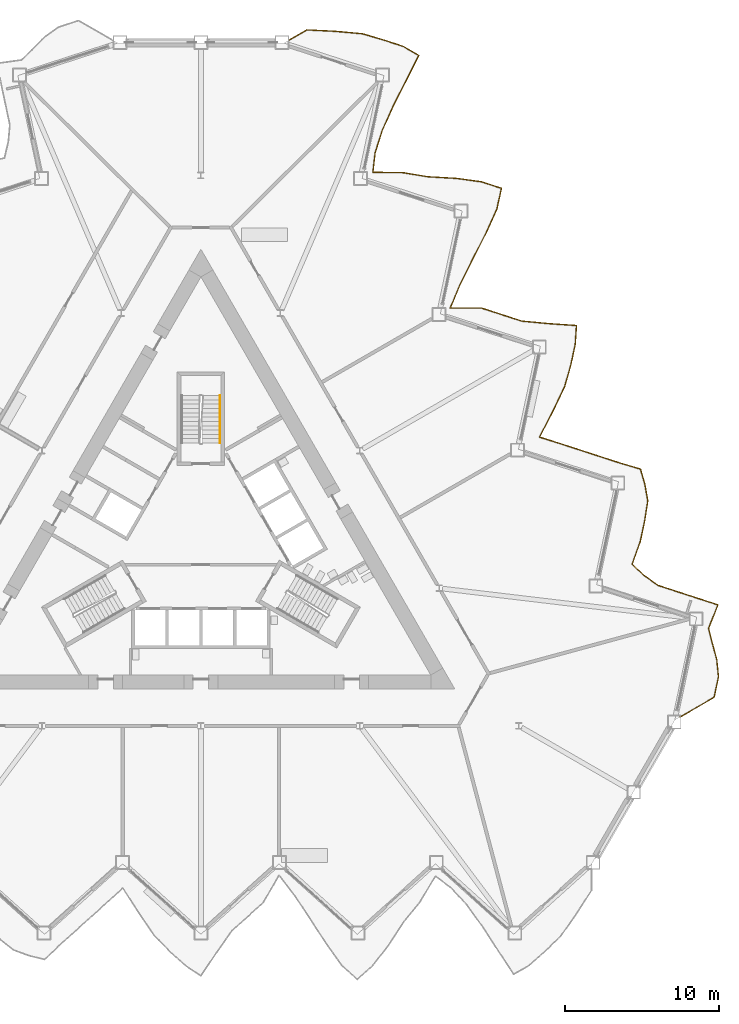
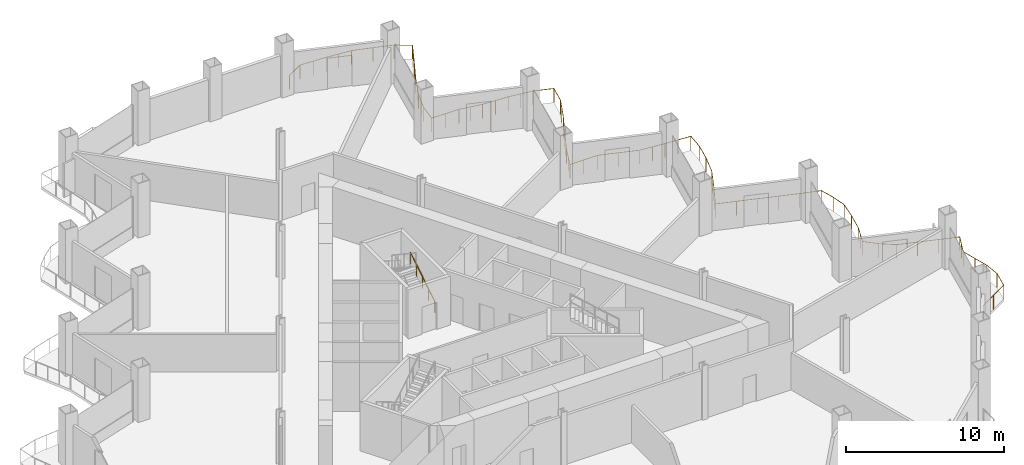
# One storey, part 19 of 21: 2 railings.
"""IFC4 building model written with IfcOpenShell, lengths in metres."""

import ifcopenshell
import ifcopenshell.guid

model = None  # the IFC model being written
_history = None  # IfcOwnerHistory: only IFC2X3 demands one
_inside = {}  # id of a spatial element -> (the spatial element, [elements in it])
_under = {}  # id of a project, library or spatial element -> (it, [spatial elements below it])
_declared = {}  # id of a project -> (the project, [libraries it declares])
_typed = {}  # id of a type object -> (the type object, [elements of that type])
_made_of = {}  # id of a material, layer set ... -> (it, [elements and type objects made of it])


def new_model(schema):
    """Start an empty IFC model of exactly this schema.

    Asked for "IFC4X3", IfcOpenShell would pick the latest addendum, in which some entities
    have other attributes; the version numbers below select the first issue.
    IFC2X3 requires an IfcOwnerHistory on every rooted entity: one is made here for all.
    """
    global model, _history
    if schema == "IFC4X3":
        model = ifcopenshell.file(schema_version=(4, 3, 0, 0))
    else:
        model = ifcopenshell.file(schema=schema)
    _inside.clear()
    _under.clear()
    _declared.clear()
    _typed.clear()
    _made_of.clear()
    _history = None
    if model.schema == "IFC2X3":
        org = make("IfcOrganization", Name="unknown")
        user = make(
            "IfcPersonAndOrganization",
            ThePerson=make("IfcPerson", FamilyName="unknown"),
            TheOrganization=org,
        )
        app = make(
            "IfcApplication",
            ApplicationDeveloper=org,
            Version="unknown",
            ApplicationFullName="unknown",
            ApplicationIdentifier="unknown",
        )
        _history = make(
            "IfcOwnerHistory",
            OwningUser=user,
            OwningApplication=app,
            ChangeAction="ADDED",
            CreationDate=0,
        )
    return model


def make(cls, **values):
    """One entity of the class cls with the attributes given. An attribute that is None is left unset."""
    return model.create_entity(
        cls, **{name: value for name, value in values.items() if value is not None}
    )


def rooted(cls, **values):
    """An entity with a GlobalId (a new one), such as an element, a storey or a relation."""
    return make(cls, GlobalId=ifcopenshell.guid.new(), OwnerHistory=_history, **values)


def si_unit(unit_type, name, prefix=None):
    """IfcSIUnit, for example si_unit("LENGTHUNIT", "METRE", prefix="MILLI")."""
    return make("IfcSIUnit", UnitType=unit_type, Prefix=prefix, Name=name)


def assignment(units):
    """IfcUnitAssignment: the units of a project."""
    return None if units is None else make("IfcUnitAssignment", Units=units)


def point(xyz):
    """IfcCartesianPoint."""
    return None if xyz is None else make("IfcCartesianPoint", Coordinates=xyz)


def direction(xyz):
    """IfcDirection."""
    return None if xyz is None else make("IfcDirection", DirectionRatios=xyz)


def frame(location, z_axis=None, x_axis=None):
    """IfcAxis2Placement3D, a coordinate frame: its origin and axes. An axis left out is left unset."""
    return make(
        "IfcAxis2Placement3D",
        Location=point(location),
        Axis=direction(z_axis),
        RefDirection=direction(x_axis),
    )


def frame_2d(location, x_axis=None):
    """IfcAxis2Placement2D, a coordinate frame in the plane: its origin and x axis."""
    return make(
        "IfcAxis2Placement2D", Location=point(location), RefDirection=direction(x_axis)
    )


def origin():
    """The frame at (0, 0, 0) with its axes left unset."""
    return frame((0.0, 0.0, 0.0))


def origin_2d():
    """The frame at (0, 0) in the plane with its x axis left unset."""
    return frame_2d((0.0, 0.0))


def place(relative_to, where):
    """IfcLocalPlacement: puts the frame where relative to a parent placement (None: the world)."""
    return make(
        "IfcLocalPlacement", PlacementRelTo=relative_to, RelativePlacement=where
    )


def context(
    kind, dimensions, precision=None, world=None, true_north=None, identifier=None
):
    """IfcGeometricRepresentationContext, for example the 3D "Model" context."""
    return make(
        "IfcGeometricRepresentationContext",
        ContextIdentifier=identifier,
        ContextType=kind,
        CoordinateSpaceDimension=dimensions,
        Precision=precision,
        WorldCoordinateSystem=world,
        TrueNorth=true_north,
    )


def subcontext(parent, identifier, kind, view, scale=None):
    """IfcGeometricRepresentationSubContext, for example "Body" below "Model"."""
    return make(
        "IfcGeometricRepresentationSubContext",
        ContextIdentifier=identifier,
        ContextType=kind,
        ParentContext=parent,
        TargetScale=scale,
        TargetView=view,
    )


def project(units=None, contexts=None):
    """IfcProject with its units and contexts."""
    return rooted(
        "IfcProject",
        Name="project",
        RepresentationContexts=contexts,
        UnitsInContext=assignment(units),
    )


def spatial(cls, under=None, at=None, **own):
    """A site, building, storey or space (cls), placed at a placement, below another one or the project."""
    s = rooted(cls, ObjectPlacement=at, **own)
    if under is not None:
        _under.setdefault(under.id(), (under, []))[1].append(s)
    return s


def profile(cls, at=None, kind="AREA", **sizes):
    """A parametric profile (cls). Its sizes go by their IFC names, for example OverallWidth=200.0."""
    return make(cls, ProfileType=kind, Position=at, **sizes)


def circle(**sizes):
    """IfcCircleProfileDef."""
    return profile("IfcCircleProfileDef", **sizes)


def extrude(swept, where, along, depth):
    """IfcExtrudedAreaSolid: the profile swept, set in the frame where, extruded along a direction by depth."""
    return make(
        "IfcExtrudedAreaSolid",
        SweptArea=swept,
        Position=where,
        ExtrudedDirection=direction(along),
        Depth=depth,
    )


def shape(context_of_items, identifier, shape_type, items):
    """IfcShapeRepresentation: the items that make up one representation, for example the "Body"."""
    return make(
        "IfcShapeRepresentation",
        ContextOfItems=context_of_items,
        RepresentationIdentifier=identifier,
        RepresentationType=shape_type,
        Items=items,
    )


def material(Name=None, Category=None):
    """IfcMaterial."""
    return make("IfcMaterial", Name=Name, Category=Category)


def made_of(thing, what):
    """Note that an element or type object is made of a material, layer set ...; save() writes the relation."""
    if what is not None:
        _made_of.setdefault(what.id(), (what, []))[1].append(thing)
    return thing


def type_object(cls, material=None, **own):
    """A type object (cls), such as IfcWallType, which elements share."""
    return made_of(rooted(cls, **own), material)


def element(
    cls,
    number,
    at=None,
    inside=None,
    cuts=None,
    type_object=None,
    material=None,
    context=None,
    identifier="Body",
    shape_type=None,
    held_by="IfcProductDefinitionShape",
    body=None,
    shapes=None,
    **own,
):
    """One element of the class cls, such as IfcWall. Its Tag is "e" and its number.

    at: its placement. inside: the storey or other place that contains it. cuts: it is an
    opening in that element (IfcRelVoidsElement). A single representation is given by context,
    identifier, shape_type and body (its items); several are given by shapes. held_by: the class
    of the entity that holds the representations. save() writes the other relations.
    """
    e = rooted(cls, Tag="e%d" % number, ObjectPlacement=at, **own)
    if body is not None:
        shapes = [shape(context, identifier, shape_type, body)]
    if shapes is not None:
        e.Representation = make(held_by, Representations=shapes)
    if inside is not None:
        _inside.setdefault(inside.id(), (inside, []))[1].append(e)
    if cuts is not None:
        rooted(
            "IfcRelVoidsElement", RelatingBuildingElement=cuts, RelatedOpeningElement=e
        )
    if type_object is not None:
        _typed.setdefault(type_object.id(), (type_object, []))[1].append(e)
    return made_of(e, material)


def aggregate(whole, parts):
    """IfcRelAggregates: a whole, such as a stair, and the parts it consists of."""
    return rooted("IfcRelAggregates", RelatingObject=whole, RelatedObjects=parts)


def save(model, path):
    """Write the relations noted so far, then the file.

    IfcRelAggregates (storeys below a building ...), IfcRelContainedInSpatialStructure (elements
    in a storey), IfcRelDefinesByType, IfcRelAssociatesMaterial and IfcRelDeclares: one each for
    every whole, place, type object, material and project.
    """
    for whole, parts in _under.values():
        aggregate(whole, parts)
    for where, things in _inside.values():
        rooted(
            "IfcRelContainedInSpatialStructure",
            RelatedElements=things,
            RelatingStructure=where,
        )
    for kind, things in _typed.values():
        rooted("IfcRelDefinesByType", RelatedObjects=things, RelatingType=kind)
    for what, things in _made_of.values():
        rooted("IfcRelAssociatesMaterial", RelatedObjects=things, RelatingMaterial=what)
    for by, libraries in _declared.values():
        rooted("IfcRelDeclares", RelatingContext=by, RelatedDefinitions=libraries)
    model.write(path)


model = new_model("IFC4")

# Units and contexts
model_context = context("Model", 3, precision=1e-05, world=origin(), true_north=direction((0.0, 1.0)))
body_context = subcontext(model_context, "Body", "Model", "MODEL_VIEW")
ifc_project = project(units=[si_unit("LENGTHUNIT", "METRE"), si_unit("AREAUNIT", "SQUARE_METRE"), si_unit("VOLUMEUNIT", "CUBIC_METRE"), si_unit("PLANEANGLEUNIT", "RADIAN"), si_unit("MASSUNIT", "GRAM", prefix="KILO")], contexts=[model_context])

# Site, building, storey
site_placement = place(None, origin())
site = spatial("IfcSite", under=ifc_project, at=site_placement, CompositionType="ELEMENT")
building_placement = place(site_placement, origin())
building = spatial("IfcBuilding", under=site, at=building_placement, Name="Cormorant Prow Tower", CompositionType="ELEMENT")
storey_placement = place(building_placement, frame((0.0, 0.0, 145.800048828125)))
storey = spatial("IfcBuildingStorey", under=building, at=storey_placement, Name="L31", CompositionType="ELEMENT", Elevation=145.800048828125)

# Railings
ifc_material_1 = material(Name="Aluminium 6063-T6", Category="aluminium")
railing_type_1 = type_object("IfcRailingType", Name="Balcony guard 1100", PredefinedType="GUARDRAIL", material=ifc_material_1)
railing_1_placement = place(storey_placement, frame((31.134033203125, -11.3623046875, 0.0)))
element("IfcRailing", 1, at=railing_1_placement, inside=storey, type_object=railing_type_1, Name="Balcony guard ENE", PredefinedType="GUARDRAIL", context=body_context, shape_type="SweptSolid", body=[
    extrude(circle(Radius=0.02392578125, at=origin_2d()), frame((0.0, 0.0, 1.076171875), z_axis=(0.866030548046, 0.499991089772, 0.0), x_axis=(-0.499991089772, 0.866030548046, 0.0)), (0.0, 0.0, 1.0), 2.56982421875),
    extrude(circle(Radius=0.02392578125, at=origin_2d()), frame((2.2255859375, 1.284912109375, 1.076171875), z_axis=(0.207980456921, 0.978132981521, 0.0), x_axis=(-0.978132981521, 0.207980456921, 0.0)), (0.0, 0.0, 1.0), 1.367431640625),
    extrude(circle(Radius=0.02392578125, at=origin_2d()), frame((2.510009765625, 2.62255859375, 1.076171875), z_axis=(-0.097792362575, 0.995206839718, 0.0), x_axis=(-0.995206839718, -0.097792362575, 0.0)), (0.0, 0.0, 1.0), 1.115966796875),
    extrude(circle(Radius=0.02392578125, at=origin_2d()), frame((2.40087890625, 3.733154296875, 1.076171875), z_axis=(-0.261721970891, 0.965143310578, 0.0), x_axis=(-0.965143310578, -0.261721970891, 0.0)), (0.0, 0.0, 1.0), 1.05126953125),
    extrude(circle(Radius=0.02392578125, at=origin_2d()), frame((2.125732421875, 4.747802734375, 1.076171875), z_axis=(-0.249227083493, 0.968445073741, 0.0), x_axis=(-0.968445073741, -0.249227083493, 0.0)), (0.0, 0.0, 1.0), 1.054931640625),
    extrude(circle(Radius=0.02392578125, at=origin_2d()), frame((1.86279296875, 5.76953125, 1.076171875), z_axis=(0.373509920554, 0.927626185081, 0.0), x_axis=(-0.927626185081, 0.373509920554, 0.0)), (0.0, 0.0, 1.0), 1.647705078125),
    extrude(circle(Radius=0.02392578125, at=origin_2d()), frame((2.478271484375, 7.298095703125, 1.076171875), z_axis=(-0.951065546572, 0.30898920066, 0.0), x_axis=(-0.30898920066, -0.951065546572, 0.0)), (0.0, 0.0, 1.0), 1.36767578125),
    extrude(circle(Radius=0.02392578125, at=origin_2d()), frame((1.177490234375, 7.720703125, 1.076171875), z_axis=(-0.951048499749, 0.309041665678, 0.0), x_axis=(-0.309041665678, -0.951048499749, 0.0)), (0.0, 0.0, 1.0), 1.367431640625),
    extrude(circle(Radius=0.02392578125, at=origin_2d()), frame((-0.123046875, 8.143310546875, 1.076171875), z_axis=(-0.951048499749, 0.309041665678, 0.0), x_axis=(-0.309041665678, -0.951048499749, 0.0)), (0.0, 0.0, 1.0), 1.367431640625),
    extrude(circle(Radius=0.02392578125, at=origin_2d()), frame((-1.423583984375, 8.56591796875, 1.076171875), z_axis=(-0.814544647164, 0.580100868622, 0.0), x_axis=(-0.580100868622, -0.814544647164, 0.0)), (0.0, 0.0, 1.0), 1.117431640625),
    extrude(circle(Radius=0.02392578125, at=origin_2d()), frame((-2.333740234375, 9.214111328125, 1.076171875), z_axis=(-0.725740821588, 0.687968211388, 0.0), x_axis=(-0.687968211388, -0.725740821588, 0.0)), (0.0, 0.0, 1.0), 1.06005859375),
    extrude(circle(Radius=0.02392578125, at=origin_2d()), frame((-3.10302734375, 9.943359375, 1.076171875), z_axis=(0.337889431409, 0.941185811698, 0.0), x_axis=(-0.941185811698, 0.337889431409, 0.0)), (0.0, 0.0, 1.0), 1.572998046875),
    extrude(circle(Radius=0.02392578125, at=origin_2d()), frame((-2.571533203125, 11.423828125, 1.076171875), z_axis=(0.207980456921, 0.978132981521, 0.0), x_axis=(-0.978132981521, 0.207980456921, 0.0)), (0.0, 0.0, 1.0), 1.367431640625),
    extrude(circle(Radius=0.02392578125, at=origin_2d()), frame((-2.287109375, 12.761474609375, 1.076171875), z_axis=(0.156096807617, 0.987741761116, 0.0), x_axis=(-0.987741761116, 0.156096807617, 0.0)), (0.0, 0.0, 1.0), 1.3076171875),
    extrude(circle(Radius=0.02392578125, at=origin_2d()), frame((-2.0830078125, 14.052978515625, 1.076171875), z_axis=(-0.174094479096, 0.984728953747, 0.0), x_axis=(-0.984728953747, -0.174094479096, 0.0)), (0.0, 0.0, 1.0), 1.081298828125),
    extrude(circle(Radius=0.02392578125, at=origin_2d()), frame((-2.271240234375, 15.11767578125, 1.076171875), z_axis=(-0.275736863422, 0.961233157018, 0.0), x_axis=(-0.961233157018, -0.275736863422, 0.0)), (0.0, 0.0, 1.0), 1.04736328125),
    extrude(circle(Radius=0.02392578125, at=origin_2d()), frame((-2.56005859375, 16.12451171875, 1.076171875), z_axis=(-0.958884187978, 0.28379766392, 0.0), x_axis=(-0.28379766392, -0.958884187978, 0.0)), (0.0, 0.0, 1.0), 1.4013671875),
    extrude(circle(Radius=0.02392578125, at=origin_2d()), frame((-3.90380859375, 16.522216796875, 1.076171875), z_axis=(-0.951048499749, 0.309041665678, 0.0), x_axis=(-0.309041665678, -0.951048499749, 0.0)), (0.0, 0.0, 1.0), 1.367431640625),
    extrude(circle(Radius=0.02392578125, at=origin_2d()), frame((-5.204345703125, 16.94482421875, 1.076171875), z_axis=(-0.951117992339, 0.308827726491, 0.0), x_axis=(-0.308827726491, -0.951117992339, 0.0)), (0.0, 0.0, 1.0), 1.36767578125),
    extrude(circle(Radius=0.02392578125, at=origin_2d()), frame((-6.505126953125, 17.3671875, 1.076171875), z_axis=(-0.951048499749, 0.309041665678, 0.0), x_axis=(-0.309041665678, -0.951048499749, 0.0)), (0.0, 0.0, 1.0), 1.367431640625),
    extrude(circle(Radius=0.02392578125, at=origin_2d()), frame((-7.8056640625, 17.789794921875, 1.076171875), z_axis=(-0.953545163287, 0.301250098046, 0.0), x_axis=(-0.301250098046, -0.953545163287, 0.0)), (0.0, 0.0, 1.0), 1.377685546875),
    extrude(circle(Radius=0.02392578125, at=origin_2d()), frame((-9.119384765625, 18.204833984375, 1.076171875), z_axis=(0.457380335525, 0.889271178368, 0.0), x_axis=(-0.889271178368, 0.457380335525, 0.0)), (0.0, 0.0, 1.0), 1.877197265625),
    extrude(circle(Radius=0.02392578125, at=origin_2d()), frame((-8.2607421875, 19.874267578125, 1.076171875), z_axis=(0.431041668653, 0.902332023085, 0.0), x_axis=(-0.902332023085, 0.431041668653, 0.0)), (0.0, 0.0, 1.0), 1.79541015625),
    extrude(circle(Radius=0.02392578125, at=origin_2d()), frame((-7.48681640625, 21.494384765625, 1.076171875), z_axis=(0.275272276144, 0.961366305831, 0.0), x_axis=(-0.961366305831, 0.275272276144, 0.0)), (0.0, 0.0, 1.0), 1.46240234375),
    extrude(circle(Radius=0.02392578125, at=origin_2d()), frame((-7.084228515625, 22.900390625, 1.076171875), z_axis=(0.207980456921, 0.978132981521, 0.0), x_axis=(-0.978132981521, 0.207980456921, 0.0)), (0.0, 0.0, 1.0), 1.367431640625),
    extrude(circle(Radius=0.02392578125, at=origin_2d()), frame((-6.7998046875, 24.238037109375, 1.076171875), z_axis=(0.06685012291, 0.997763028513, 0.0), x_axis=(-0.997763028513, 0.06685012291, 0.0)), (0.0, 0.0, 1.0), 1.223388671875),
    extrude(circle(Radius=0.02392578125, at=origin_2d()), frame((-6.718017578125, 25.458740234375, 1.076171875), z_axis=(-0.997721934023, 0.067460672759, 0.0), x_axis=(-0.067460672759, -0.997721934023, 0.0)), (0.0, 0.0, 1.0), 1.823974609375),
    extrude(circle(Radius=0.02392578125, at=origin_2d()), frame((-8.537841796875, 25.581787109375, 1.076171875), z_axis=(-0.995611582396, 0.093581926669, 0.0), x_axis=(-0.093581926669, -0.995611582396, 0.0)), (0.0, 0.0, 1.0), 1.755859375),
    extrude(circle(Radius=0.02392578125, at=origin_2d()), frame((-10.285888671875, 25.74609375, 1.076171875), z_axis=(-0.951048499749, 0.309041665678, 0.0), x_axis=(-0.309041665678, -0.951048499749, 0.0)), (0.0, 0.0, 1.0), 1.367431640625),
    extrude(circle(Radius=0.02392578125, at=origin_2d()), frame((-11.58642578125, 26.168701171875, 1.076171875), z_axis=(-0.951065546572, 0.30898920066, 0.0), x_axis=(-0.30898920066, -0.951065546572, 0.0)), (0.0, 0.0, 1.0), 1.36767578125),
    extrude(circle(Radius=0.02392578125, at=origin_2d()), frame((-12.88720703125, 26.59130859375, 1.076171875), z_axis=(-0.999999281496, -0.001198752435, 0.0), x_axis=(0.001198752435, -0.999999281496, 0.0)), (0.0, 0.0, 1.0), 2.03662109375),
    extrude(circle(Radius=0.02392578125, at=origin_2d()), frame((-14.923828125, 26.5888671875, 1.076171875), z_axis=(0.383868777021, 0.923387655337, 0.0), x_axis=(-0.923387655337, 0.383868777021, 0.0)), (0.0, 0.0, 1.0), 1.672119140625),
    extrude(circle(Radius=0.02392578125, at=origin_2d()), frame((-14.281982421875, 28.1328125, 1.076171875), z_axis=(0.446152591368, 0.894956906904, 0.0), x_axis=(-0.894956906904, 0.446152591368, 0.0)), (0.0, 0.0, 1.0), 1.84130859375),
    extrude(circle(Radius=0.02392578125, at=origin_2d()), frame((-13.46044921875, 29.78076171875, 1.076171875), z_axis=(0.454827871642, 0.890579366018, 0.0), x_axis=(-0.890579366018, 0.454827871642, 0.0)), (0.0, 0.0, 1.0), 1.868408203125),
    extrude(circle(Radius=0.02392578125, at=origin_2d()), frame((-12.610595703125, 31.44482421875, 1.076171875), z_axis=(0.412389195131, 0.911007767112, 0.0), x_axis=(-0.911007767112, 0.412389195131, 0.0)), (0.0, 0.0, 1.0), 1.744140625),
    extrude(circle(Radius=0.02392578125, at=origin_2d()), frame((-11.891357421875, 33.03369140625, 1.076171875), z_axis=(0.214072719973, 0.976817726377, 0.0), x_axis=(-0.976817726377, 0.214072719973, 0.0)), (0.0, 0.0, 1.0), 1.37548828125),
    extrude(circle(Radius=0.02392578125, at=origin_2d()), frame((-11.596923828125, 34.377197265625, 1.076171875), z_axis=(-0.951048499749, 0.309041665678, 0.0), x_axis=(-0.309041665678, -0.951048499749, 0.0)), (0.0, 0.0, 1.0), 1.367431640625),
    extrude(circle(Radius=0.02392578125, at=origin_2d()), frame((-12.8974609375, 34.7998046875, 1.076171875), z_axis=(-0.990835539484, 0.135073808323, 0.0), x_axis=(-0.135073808323, -0.990835539484, 0.0)), (0.0, 0.0, 1.0), 1.6591796875),
    extrude(circle(Radius=0.02392578125, at=origin_2d()), frame((-14.54150390625, 35.02392578125, 1.076171875), z_axis=(-0.998427794116, 0.056053010054, 0.0), x_axis=(-0.056053010054, -0.998427794116, 0.0)), (0.0, 0.0, 1.0), 1.85546875),
    extrude(circle(Radius=0.02392578125, at=origin_2d()), frame((-16.39404296875, 35.1279296875, 1.076171875), z_axis=(-0.986165670984, 0.165762689928, 0.0), x_axis=(-0.165762689928, -0.986165670984, 0.0)), (0.0, 0.0, 1.0), 1.596435546875),
    extrude(circle(Radius=0.02392578125, at=origin_2d()), frame((-17.968505859375, 35.392578125, 1.076171875), z_axis=(-0.999908570262, 0.013522245233, 0.0), x_axis=(-0.013522245233, -0.999908570262, 0.0)), (0.0, 0.0, 1.0), 1.986083984375),
    extrude(circle(Radius=0.02392578125, at=origin_2d()), frame((-19.954345703125, 35.41943359375, 1.076171875), z_axis=(0.116181662896, 0.993227980479, 0.0), x_axis=(-0.993227980479, 0.116181662896, 0.0)), (0.0, 0.0, 1.0), 1.26708984375),
    extrude(circle(Radius=0.02392578125, at=origin_2d()), frame((-19.80712890625, 36.677978515625, 1.076171875), z_axis=(0.300501957046, 0.95378119808, 0.0), x_axis=(-0.95378119808, 0.300501957046, 0.0)), (0.0, 0.0, 1.0), 1.50390625),
    extrude(circle(Radius=0.02392578125, at=origin_2d()), frame((-19.355224609375, 38.1123046875, 1.076171875), z_axis=(0.408748731272, 0.912646960595, 0.0), x_axis=(-0.912646960595, 0.408748731272, 0.0)), (0.0, 0.0, 1.0), 1.734619140625),
    extrude(circle(Radius=0.02392578125, at=origin_2d()), frame((-18.646240234375, 39.6953125, 1.076171875), z_axis=(0.454108037881, 0.890946625748, 0.0), x_axis=(-0.890946625748, 0.454108037881, 0.0)), (0.0, 0.0, 1.0), 1.8662109375),
    extrude(circle(Radius=0.02392578125, at=origin_2d()), frame((-17.798828125, 41.35791015625, 1.076171875), z_axis=(0.447689657031, 0.894189001827, 0.0), x_axis=(-0.894189001827, 0.447689657031, 0.0)), (0.0, 0.0, 1.0), 1.845947265625),
    extrude(circle(Radius=0.02392578125, at=origin_2d()), frame((-16.972412109375, 43.008544921875, 1.076171875), z_axis=(-0.861778351782, 0.507285001158, 0.0), x_axis=(-0.507285001158, -0.861778351782, 0.0)), (0.0, 0.0, 1.0), 1.16796875),
    extrude(circle(Radius=0.02392578125, at=origin_2d()), frame((-17.97900390625, 43.60107421875, 1.076171875), z_axis=(-0.951048499749, 0.309041665678, 0.0), x_axis=(-0.309041665678, -0.951048499749, 0.0)), (0.0, 0.0, 1.0), 1.367431640625),
    extrude(circle(Radius=0.02392578125, at=origin_2d()), frame((-19.279541015625, 44.023681640625, 1.076171875), z_axis=(-0.959096159307, 0.283080478314, 0.0), x_axis=(-0.283080478314, -0.959096159307, 0.0)), (0.0, 0.0, 1.0), 1.40234375),
    extrude(circle(Radius=0.02392578125, at=origin_2d()), frame((-20.62451171875, 44.420654296875, 1.076171875), z_axis=(-0.995862492006, 0.090872971868, 0.0), x_axis=(-0.090872971868, -0.995862492006, 0.0)), (0.0, 0.0, 1.0), 1.762451171875),
    extrude(circle(Radius=0.02392578125, at=origin_2d()), frame((-22.379638671875, 44.580810546875, 1.076171875), z_axis=(-0.998759803281, 0.049788104509, 0.0), x_axis=(-0.049788104509, -0.998759803281, 0.0)), (0.0, 0.0, 1.0), 1.873291015625),
    extrude(circle(Radius=0.02392578125, at=origin_2d()), frame((-24.25048828125, 44.674072265625, 1.076171875), z_axis=(-0.866063834924, -0.499933429404, 0.0), x_axis=(0.499933429404, -0.866063834924, 0.0)), (0.0, 0.0, 1.0), 1.335693359375),
    extrude(circle(Radius=0.02099609375, at=origin_2d()), origin(), (0.0, 0.0, 1.0), 1.052001953125),
    extrude(circle(Radius=0.02099609375, at=origin_2d()), frame((1.11279296875, 0.642578125, 0.0)), (0.0, 0.0, 1.0), 1.052001953125),
    extrude(circle(Radius=0.02099609375, at=origin_2d()), frame((2.2255859375, 1.284912109375, 0.0)), (0.0, 0.0, 1.0), 1.052001953125),
    extrude(circle(Radius=0.02099609375, at=origin_2d()), frame((2.510009765625, 2.62255859375, 0.0)), (0.0, 0.0, 1.0), 1.052001953125),
    extrude(circle(Radius=0.02099609375, at=origin_2d()), frame((2.40087890625, 3.733154296875, 0.0)), (0.0, 0.0, 1.0), 1.052001953125),
    extrude(circle(Radius=0.02099609375, at=origin_2d()), frame((2.125732421875, 4.747802734375, 0.0)), (0.0, 0.0, 1.0), 1.052001953125),
    extrude(circle(Radius=0.02099609375, at=origin_2d()), frame((1.86279296875, 5.76953125, 0.0)), (0.0, 0.0, 1.0), 1.052001953125),
    extrude(circle(Radius=0.02099609375, at=origin_2d()), frame((2.17041015625, 6.53369140625, 0.0)), (0.0, 0.0, 1.0), 1.052001953125),
    extrude(circle(Radius=0.02099609375, at=origin_2d()), frame((2.478271484375, 7.298095703125, 0.0)), (0.0, 0.0, 1.0), 1.052001953125),
    extrude(circle(Radius=0.02099609375, at=origin_2d()), frame((1.177490234375, 7.720703125, 0.0)), (0.0, 0.0, 1.0), 1.052001953125),
    extrude(circle(Radius=0.02099609375, at=origin_2d()), frame((-0.123046875, 8.143310546875, 0.0)), (0.0, 0.0, 1.0), 1.052001953125),
    extrude(circle(Radius=0.02099609375, at=origin_2d()), frame((-1.423583984375, 8.56591796875, 0.0)), (0.0, 0.0, 1.0), 1.052001953125),
    extrude(circle(Radius=0.02099609375, at=origin_2d()), frame((-2.333740234375, 9.214111328125, 0.0)), (0.0, 0.0, 1.0), 1.052001953125),
    extrude(circle(Radius=0.02099609375, at=origin_2d()), frame((-3.10302734375, 9.943359375, 0.0)), (0.0, 0.0, 1.0), 1.052001953125),
    extrude(circle(Radius=0.02099609375, at=origin_2d()), frame((-2.83740234375, 10.68359375, 0.0)), (0.0, 0.0, 1.0), 1.052001953125),
    extrude(circle(Radius=0.02099609375, at=origin_2d()), frame((-2.571533203125, 11.423828125, 0.0)), (0.0, 0.0, 1.0), 1.052001953125),
    extrude(circle(Radius=0.02099609375, at=origin_2d()), frame((-2.287109375, 12.761474609375, 0.0)), (0.0, 0.0, 1.0), 1.052001953125),
    extrude(circle(Radius=0.02099609375, at=origin_2d()), frame((-2.0830078125, 14.052978515625, 0.0)), (0.0, 0.0, 1.0), 1.052001953125),
    extrude(circle(Radius=0.02099609375, at=origin_2d()), frame((-2.271240234375, 15.11767578125, 0.0)), (0.0, 0.0, 1.0), 1.052001953125),
    extrude(circle(Radius=0.02099609375, at=origin_2d()), frame((-2.56005859375, 16.12451171875, 0.0)), (0.0, 0.0, 1.0), 1.052001953125),
    extrude(circle(Radius=0.02099609375, at=origin_2d()), frame((-3.90380859375, 16.522216796875, 0.0)), (0.0, 0.0, 1.0), 1.052001953125),
    extrude(circle(Radius=0.02099609375, at=origin_2d()), frame((-5.204345703125, 16.94482421875, 0.0)), (0.0, 0.0, 1.0), 1.052001953125),
    extrude(circle(Radius=0.02099609375, at=origin_2d()), frame((-6.505126953125, 17.3671875, 0.0)), (0.0, 0.0, 1.0), 1.052001953125),
    extrude(circle(Radius=0.02099609375, at=origin_2d()), frame((-7.8056640625, 17.789794921875, 0.0)), (0.0, 0.0, 1.0), 1.052001953125),
    extrude(circle(Radius=0.02099609375, at=origin_2d()), frame((-9.119384765625, 18.204833984375, 0.0)), (0.0, 0.0, 1.0), 1.052001953125),
    extrude(circle(Radius=0.02099609375, at=origin_2d()), frame((-8.68994140625, 19.03955078125, 0.0)), (0.0, 0.0, 1.0), 1.052001953125),
    extrude(circle(Radius=0.02099609375, at=origin_2d()), frame((-8.2607421875, 19.874267578125, 0.0)), (0.0, 0.0, 1.0), 1.052001953125),
    extrude(circle(Radius=0.02099609375, at=origin_2d()), frame((-7.873779296875, 20.684326171875, 0.0)), (0.0, 0.0, 1.0), 1.052001953125),
    extrude(circle(Radius=0.02099609375, at=origin_2d()), frame((-7.48681640625, 21.494384765625, 0.0)), (0.0, 0.0, 1.0), 1.052001953125),
    extrude(circle(Radius=0.02099609375, at=origin_2d()), frame((-7.084228515625, 22.900390625, 0.0)), (0.0, 0.0, 1.0), 1.052001953125),
    extrude(circle(Radius=0.02099609375, at=origin_2d()), frame((-6.7998046875, 24.238037109375, 0.0)), (0.0, 0.0, 1.0), 1.052001953125),
    extrude(circle(Radius=0.02099609375, at=origin_2d()), frame((-6.718017578125, 25.458740234375, 0.0)), (0.0, 0.0, 1.0), 1.052001953125),
    extrude(circle(Radius=0.02099609375, at=origin_2d()), frame((-7.6279296875, 25.520263671875, 0.0)), (0.0, 0.0, 1.0), 1.052001953125),
    extrude(circle(Radius=0.02099609375, at=origin_2d()), frame((-8.537841796875, 25.581787109375, 0.0)), (0.0, 0.0, 1.0), 1.052001953125),
    extrude(circle(Radius=0.02099609375, at=origin_2d()), frame((-9.411865234375, 25.6640625, 0.0)), (0.0, 0.0, 1.0), 1.052001953125),
    extrude(circle(Radius=0.02099609375, at=origin_2d()), frame((-10.285888671875, 25.74609375, 0.0)), (0.0, 0.0, 1.0), 1.052001953125),
    extrude(circle(Radius=0.02099609375, at=origin_2d()), frame((-11.58642578125, 26.168701171875, 0.0)), (0.0, 0.0, 1.0), 1.052001953125),
    extrude(circle(Radius=0.02099609375, at=origin_2d()), frame((-12.88720703125, 26.59130859375, 0.0)), (0.0, 0.0, 1.0), 1.052001953125),
    extrude(circle(Radius=0.02099609375, at=origin_2d()), frame((-13.905517578125, 26.590087890625, 0.0)), (0.0, 0.0, 1.0), 1.052001953125),
    extrude(circle(Radius=0.02099609375, at=origin_2d()), frame((-14.923828125, 26.5888671875, 0.0)), (0.0, 0.0, 1.0), 1.052001953125),
    extrude(circle(Radius=0.02099609375, at=origin_2d()), frame((-14.60302734375, 27.36083984375, 0.0)), (0.0, 0.0, 1.0), 1.052001953125),
    extrude(circle(Radius=0.02099609375, at=origin_2d()), frame((-14.281982421875, 28.1328125, 0.0)), (0.0, 0.0, 1.0), 1.052001953125),
    extrude(circle(Radius=0.02099609375, at=origin_2d()), frame((-13.87109375, 28.956787109375, 0.0)), (0.0, 0.0, 1.0), 1.052001953125),
    extrude(circle(Radius=0.02099609375, at=origin_2d()), frame((-13.46044921875, 29.78076171875, 0.0)), (0.0, 0.0, 1.0), 1.052001953125),
    extrude(circle(Radius=0.02099609375, at=origin_2d()), frame((-13.03564453125, 30.61279296875, 0.0)), (0.0, 0.0, 1.0), 1.052001953125),
    extrude(circle(Radius=0.02099609375, at=origin_2d()), frame((-12.610595703125, 31.44482421875, 0.0)), (0.0, 0.0, 1.0), 1.052001953125),
    extrude(circle(Radius=0.02099609375, at=origin_2d()), frame((-12.2509765625, 32.2392578125, 0.0)), (0.0, 0.0, 1.0), 1.052001953125),
    extrude(circle(Radius=0.02099609375, at=origin_2d()), frame((-11.891357421875, 33.03369140625, 0.0)), (0.0, 0.0, 1.0), 1.052001953125),
    extrude(circle(Radius=0.02099609375, at=origin_2d()), frame((-11.596923828125, 34.377197265625, 0.0)), (0.0, 0.0, 1.0), 1.052001953125),
    extrude(circle(Radius=0.02099609375, at=origin_2d()), frame((-12.8974609375, 34.7998046875, 0.0)), (0.0, 0.0, 1.0), 1.052001953125),
    extrude(circle(Radius=0.02099609375, at=origin_2d()), frame((-13.719482421875, 34.911865234375, 0.0)), (0.0, 0.0, 1.0), 1.052001953125),
    extrude(circle(Radius=0.02099609375, at=origin_2d()), frame((-14.54150390625, 35.02392578125, 0.0)), (0.0, 0.0, 1.0), 1.052001953125),
    extrude(circle(Radius=0.02099609375, at=origin_2d()), frame((-15.4677734375, 35.075927734375, 0.0)), (0.0, 0.0, 1.0), 1.052001953125),
    extrude(circle(Radius=0.02099609375, at=origin_2d()), frame((-16.39404296875, 35.1279296875, 0.0)), (0.0, 0.0, 1.0), 1.052001953125),
    extrude(circle(Radius=0.02099609375, at=origin_2d()), frame((-17.18115234375, 35.26025390625, 0.0)), (0.0, 0.0, 1.0), 1.052001953125),
    extrude(circle(Radius=0.02099609375, at=origin_2d()), frame((-17.968505859375, 35.392578125, 0.0)), (0.0, 0.0, 1.0), 1.052001953125),
    extrude(circle(Radius=0.02099609375, at=origin_2d()), frame((-18.96142578125, 35.406005859375, 0.0)), (0.0, 0.0, 1.0), 1.052001953125),
    extrude(circle(Radius=0.02099609375, at=origin_2d()), frame((-19.954345703125, 35.41943359375, 0.0)), (0.0, 0.0, 1.0), 1.052001953125),
    extrude(circle(Radius=0.02099609375, at=origin_2d()), frame((-19.80712890625, 36.677978515625, 0.0)), (0.0, 0.0, 1.0), 1.052001953125),
    extrude(circle(Radius=0.02099609375, at=origin_2d()), frame((-19.5810546875, 37.39501953125, 0.0)), (0.0, 0.0, 1.0), 1.052001953125),
    extrude(circle(Radius=0.02099609375, at=origin_2d()), frame((-19.355224609375, 38.1123046875, 0.0)), (0.0, 0.0, 1.0), 1.052001953125),
    extrude(circle(Radius=0.02099609375, at=origin_2d()), frame((-19.000732421875, 38.90380859375, 0.0)), (0.0, 0.0, 1.0), 1.052001953125),
    extrude(circle(Radius=0.02099609375, at=origin_2d()), frame((-18.646240234375, 39.6953125, 0.0)), (0.0, 0.0, 1.0), 1.052001953125),
    extrude(circle(Radius=0.02099609375, at=origin_2d()), frame((-18.22265625, 40.526611328125, 0.0)), (0.0, 0.0, 1.0), 1.052001953125),
    extrude(circle(Radius=0.02099609375, at=origin_2d()), frame((-17.798828125, 41.35791015625, 0.0)), (0.0, 0.0, 1.0), 1.052001953125),
    extrude(circle(Radius=0.02099609375, at=origin_2d()), frame((-17.3857421875, 42.18310546875, 0.0)), (0.0, 0.0, 1.0), 1.052001953125),
    extrude(circle(Radius=0.02099609375, at=origin_2d()), frame((-16.972412109375, 43.008544921875, 0.0)), (0.0, 0.0, 1.0), 1.052001953125),
    extrude(circle(Radius=0.02099609375, at=origin_2d()), frame((-17.97900390625, 43.60107421875, 0.0)), (0.0, 0.0, 1.0), 1.052001953125),
    extrude(circle(Radius=0.02099609375, at=origin_2d()), frame((-19.279541015625, 44.023681640625, 0.0)), (0.0, 0.0, 1.0), 1.052001953125),
    extrude(circle(Radius=0.02099609375, at=origin_2d()), frame((-20.62451171875, 44.420654296875, 0.0)), (0.0, 0.0, 1.0), 1.052001953125),
    extrude(circle(Radius=0.02099609375, at=origin_2d()), frame((-21.501953125, 44.500732421875, 0.0)), (0.0, 0.0, 1.0), 1.052001953125),
    extrude(circle(Radius=0.02099609375, at=origin_2d()), frame((-22.379638671875, 44.580810546875, 0.0)), (0.0, 0.0, 1.0), 1.052001953125),
    extrude(circle(Radius=0.02099609375, at=origin_2d()), frame((-23.31494140625, 44.62744140625, 0.0)), (0.0, 0.0, 1.0), 1.052001953125),
    extrude(circle(Radius=0.02099609375, at=origin_2d()), frame((-24.25048828125, 44.674072265625, 0.0)), (0.0, 0.0, 1.0), 1.052001953125),
    extrude(circle(Radius=0.02099609375, at=origin_2d()), frame((-25.4072265625, 44.00634765625, 0.0)), (0.0, 0.0, 1.0), 1.052001953125),
])
ifc_material_2 = material(Name="Stainless steel", Category="steel")
railing_type_2 = type_object("IfcRailingType", Name="Stair handrail 900", PredefinedType="HANDRAIL", material=ifc_material_2)
railing_2_placement = place(storey_placement, frame((1.243896484375, 6.455810546875, 0.175048828125)))
element("IfcRailing", 2, at=railing_2_placement, inside=storey, type_object=railing_type_2, Name="L31 ST3 stair handrail 1", PredefinedType="HANDRAIL", context=body_context, shape_type="SweptSolid", body=[
    extrude(circle(Radius=0.02392578125, at=origin_2d()), frame((0.0, 0.0, 0.8759765625), z_axis=(0.0, 0.848028513186, 0.529950602248), x_axis=(-1.0, 0.0, 0.0)), (0.0, 0.0, 1.0), 3.632080078125),
    extrude(circle(Radius=0.02099609375, at=origin_2d()), origin(), (0.0, 0.0, 1.0), 0.851806640625),
    extrude(circle(Radius=0.02099609375, at=origin_2d()), frame((0.0, 0.77001953125, 0.481201171875)), (0.0, 0.0, 1.0), 0.851806640625),
    extrude(circle(Radius=0.02099609375, at=origin_2d()), frame((0.0, 1.5400390625, 0.96240234375)), (0.0, 0.0, 1.0), 0.851806640625),
    extrude(circle(Radius=0.02099609375, at=origin_2d()), frame((0.0, 2.31005859375, 1.443603515625)), (0.0, 0.0, 1.0), 0.851806640625),
    extrude(circle(Radius=0.02099609375, at=origin_2d()), frame((0.0, 3.080078125, 1.9248046875)), (0.0, 0.0, 1.0), 0.851806640625),
])

save(model, "model.ifc")
